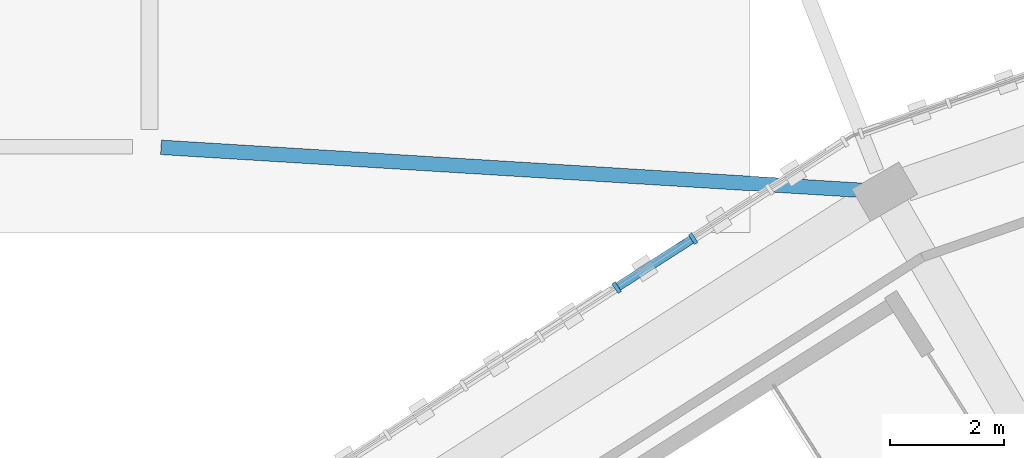
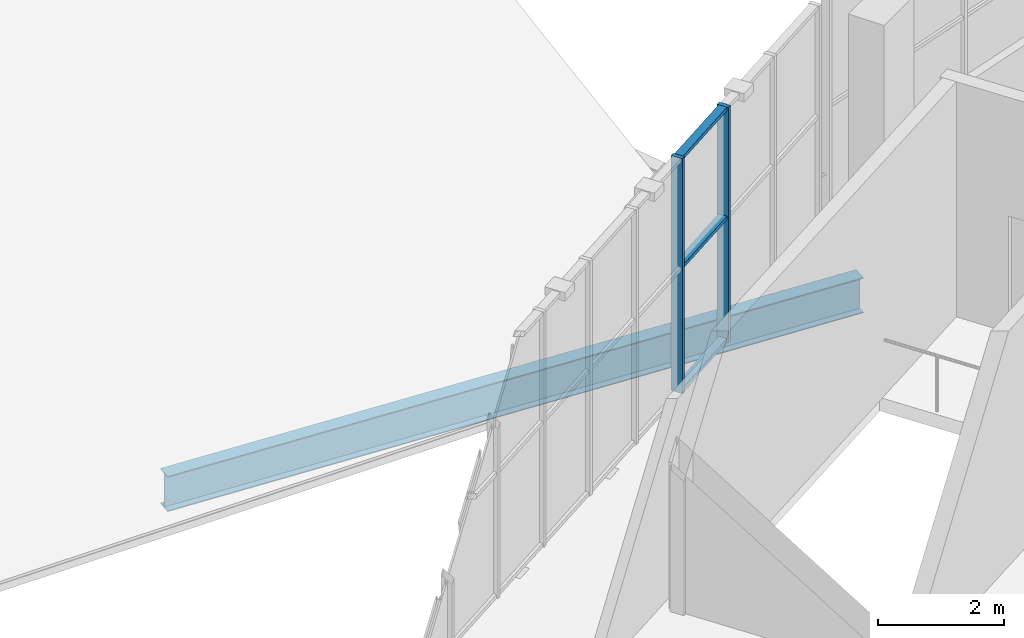
# One storey, part 35 of 108: 5 members, 1 beam, 1 element without a shape of its own.
"""IFC4 building model written with IfcOpenShell, lengths in metres."""

from ifc_helpers import new_model, si_unit, direction, frame, origin, origin_2d, place, context, subcontext, project, spatial, rectangle, i_section, extrude, material, material_profile, profile_set, type_object, element, aggregate, save


model = new_model("IFC4")

# Units and contexts
model_context = context("Model", 3, precision=1e-05, world=origin(), true_north=direction((0.0, 1.0)))
body_context = subcontext(model_context, "Body", "Model", "MODEL_VIEW")
ifc_project = project(units=[si_unit("LENGTHUNIT", "METRE"), si_unit("AREAUNIT", "SQUARE_METRE"), si_unit("VOLUMEUNIT", "CUBIC_METRE"), si_unit("PLANEANGLEUNIT", "RADIAN"), si_unit("MASSUNIT", "GRAM", prefix="KILO")], contexts=[model_context])

# Site, building, storey
site_placement = place(None, origin())
site = spatial("IfcSite", under=ifc_project, at=site_placement, CompositionType="ELEMENT")
building_placement = place(site_placement, origin())
building = spatial("IfcBuilding", under=site, at=building_placement, Name="Zevraka Park Crest Stadium", CompositionType="ELEMENT")
storey_placement = place(building_placement, frame((0.0, 0.0, 19.800048828125)))
storey = spatial("IfcBuildingStorey", under=building, at=storey_placement, Name="L04", CompositionType="ELEMENT", Elevation=19.800048828125)

# Beam
ifc_material_1 = material(Name="Steel S355", Category="steel")
ifc_material_profile_1 = material_profile(ifc_material_1, i_section(OverallWidth=0.253662109375, OverallDepth=0.68359375, WebThickness=0.012451171875, FlangeThickness=0.01904296875, at=origin_2d()), Name="UKB 686x254x140")
ifc_profile_set_1 = profile_set([ifc_material_profile_1], Name="Steel S355")
beam_type = type_object("IfcBeamType", Name="BG05", PredefinedType="BEAM", material=ifc_profile_set_1)
beam_placement = place(storey_placement, frame((54.199951171875, 157.988037109375, -0.60986328125), z_axis=(0.998122867072, -0.061243303531, 0.0), x_axis=(0.061243303531, 0.998122867072, 0.0)))
element("IfcBeam", 1, at=beam_placement, inside=storey, type_object=beam_type, Name="Wing Link Girder BG05 L04-7/T", PredefinedType="BEAM", context=body_context, shape_type="SweptSolid", body=[
    extrude(i_section(OverallWidth=0.253662109375, OverallDepth=0.68359375, WebThickness=0.012451171875, FlangeThickness=0.01904296875, at=origin_2d()), origin(), (0.0, 0.0, 1.0), 12.294189453125),
])

# Curtain wall, members
ifc_material_2 = material(Name="Anodised architectural aluminium and laminated safety glass", Category="aluminium")
curtain_wall_type = type_object("IfcCurtainWallType", Name="CW18", PredefinedType="NOTDEFINED", material=ifc_material_2)
curtain_wall_placement = place(storey_placement, origin())
curtain_wall = element("IfcCurtainWall", 2, at=curtain_wall_placement, inside=storey, type_object=curtain_wall_type, Name="Unitised Ring Curtain Wall CW18 L04-08", PredefinedType="NOTDEFINED")
ifc_material_3 = material(Name="Anodised architectural aluminium", Category="aluminium")
ifc_material_profile_2 = material_profile(ifc_material_3, rectangle(XDim=0.199951171875, YDim=0.070068359375, at=origin_2d()), Name="ALU MULLION 200x70")
ifc_profile_set_2 = profile_set([ifc_material_profile_2], Name="Anodised architectural aluminium")
member_type_1 = type_object("IfcMemberType", Name="CM03", PredefinedType="MULLION", material=ifc_profile_set_2)
member_1_placement = place(storey_placement, frame((63.50146484375, 156.392822265625, 0.0), z_axis=(0.0, 0.0, 1.0), x_axis=(0.539979944029, -0.841677883781, 0.0)))
member_1 = element("IfcMember", 3, at=member_1_placement, type_object=member_type_1, Name="CW18 mullion 3", PredefinedType="MULLION", context=body_context, shape_type="SweptSolid", body=[
    extrude(rectangle(XDim=0.199951171875, YDim=0.070068359375, at=origin_2d()), origin(), (0.0, 0.0, 1.0), 4.5400390625),
])
member_2_placement = place(storey_placement, frame((62.164794921875, 155.535400390625, 0.0), z_axis=(0.0, 0.0, 1.0), x_axis=(0.539979944029, -0.841677883781, 0.0)))
member_2 = element("IfcMember", 4, at=member_2_placement, type_object=member_type_1, Name="CW18 mullion 4", PredefinedType="MULLION", context=body_context, shape_type="SweptSolid", body=[
    extrude(rectangle(XDim=0.199951171875, YDim=0.070068359375, at=origin_2d()), origin(), (0.0, 0.0, 1.0), 4.5400390625),
])
ifc_material_4 = material(Name="Anodised architectural aluminium", Category="aluminium")
ifc_material_profile_3 = material_profile(ifc_material_4, rectangle(XDim=0.14990234375, YDim=0.070068359375, at=origin_2d()), Name="ALU TRANSOM 150x70")
ifc_profile_set_3 = profile_set([ifc_material_profile_3], Name="Anodised architectural aluminium")
member_type_2 = type_object("IfcMemberType", Name="CT03", PredefinedType="USERDEFINED", material=ifc_profile_set_3)
member_3_placement = place(storey_placement, frame((63.47216796875, 156.3740234375, 0.034912109375), z_axis=(-0.841669260565, -0.539993384978, 0.0), x_axis=(0.539993384978, -0.841669260565, 0.0)))
member_3 = element("IfcMember", 5, at=member_3_placement, type_object=member_type_2, Name="CW18 transom 3.1", ObjectType="TRANSOM", PredefinedType="USERDEFINED", context=body_context, shape_type="SweptSolid", body=[
    extrude(rectangle(XDim=0.14990234375, YDim=0.070068359375, at=origin_2d()), origin(), (0.0, 0.0, 1.0), 1.518310546875),
])
member_4_placement = place(storey_placement, frame((63.47216796875, 156.3740234375, 2.39990234375), z_axis=(-0.841669260565, -0.539993384978, 0.0), x_axis=(0.539993384978, -0.841669260565, 0.0)))
member_4 = element("IfcMember", 6, at=member_4_placement, type_object=member_type_2, Name="CW18 transom 3.2", ObjectType="TRANSOM", PredefinedType="USERDEFINED", context=body_context, shape_type="SweptSolid", body=[
    extrude(rectangle(XDim=0.14990234375, YDim=0.070068359375, at=origin_2d()), origin(), (0.0, 0.0, 1.0), 1.518310546875),
])
member_5_placement = place(storey_placement, frame((63.47216796875, 156.3740234375, 4.5048828125), z_axis=(-0.841669260565, -0.539993384978, 0.0), x_axis=(0.539993384978, -0.841669260565, 0.0)))
member_5 = element("IfcMember", 7, at=member_5_placement, type_object=member_type_2, Name="CW18 transom 3.3", ObjectType="TRANSOM", PredefinedType="USERDEFINED", context=body_context, shape_type="SweptSolid", body=[
    extrude(rectangle(XDim=0.14990234375, YDim=0.070068359375, at=origin_2d()), origin(), (0.0, 0.0, 1.0), 1.518310546875),
])
aggregate(curtain_wall, [member_1, member_2, member_3, member_4, member_5])

save(model, "model.ifc")
